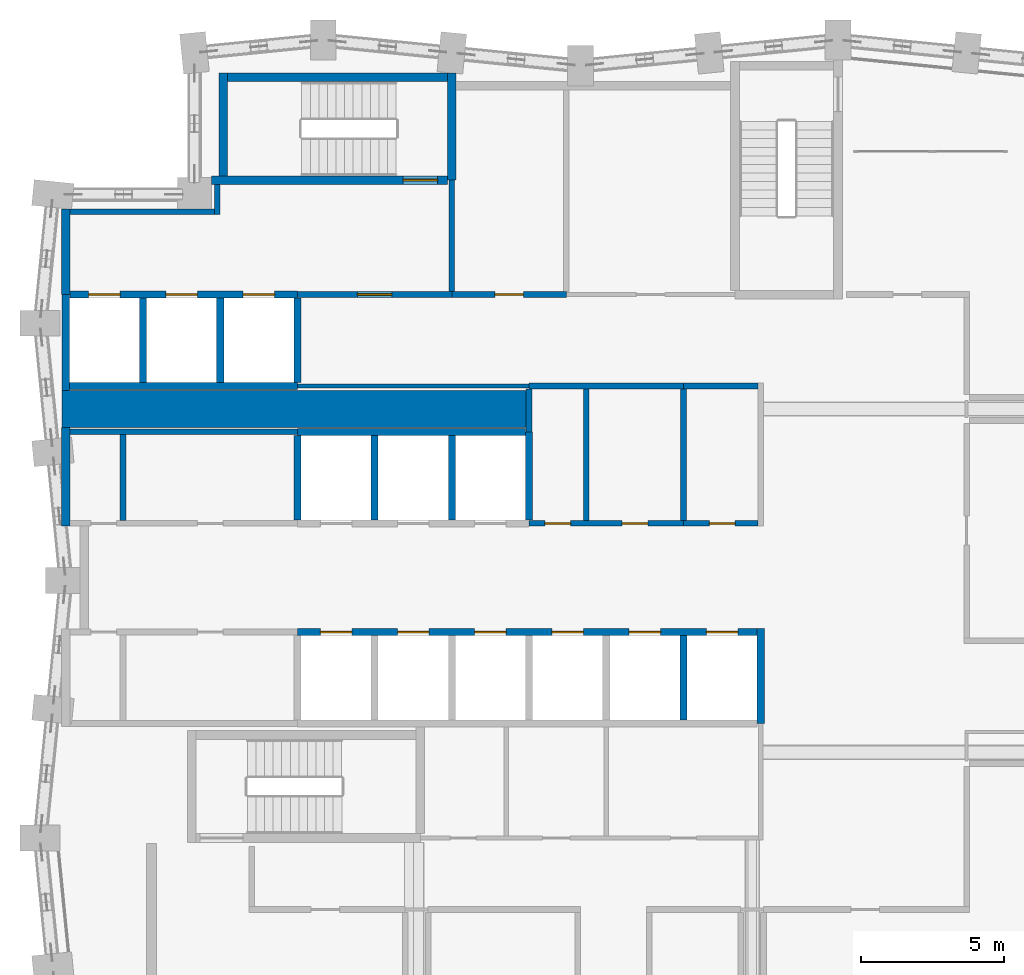
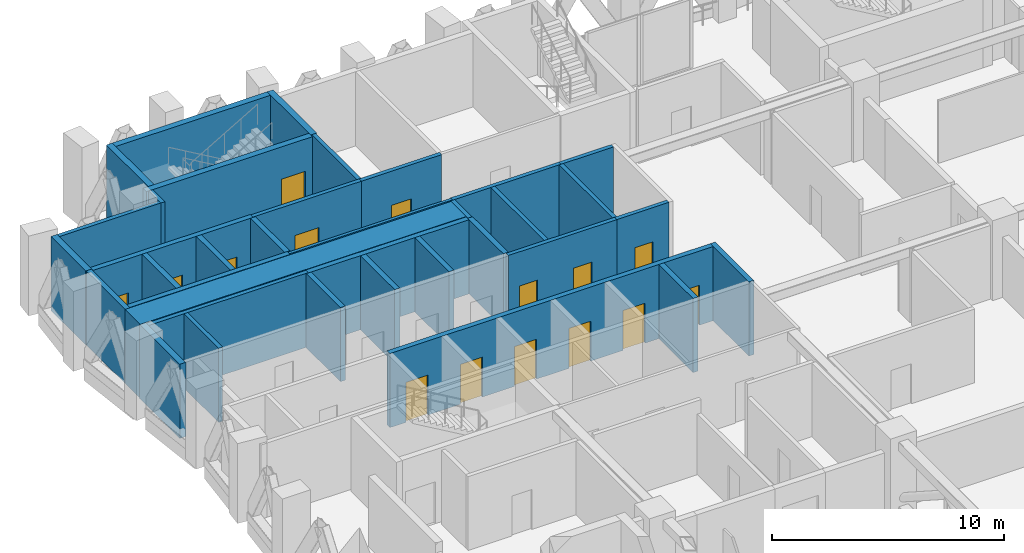
# One storey, part 15 of 25: 36 walls, 15 doors, 15 openings.
"""IFC4 building model written with IfcOpenShell, lengths in metres."""

from ifc_helpers import new_model, si_unit, direction, frame, frame_2d, origin, place, context, subcontext, project, spatial, rectangle, extrude, material, layer, layer_set, type_object, element, fill, save


model = new_model("IFC4")

# Units and contexts
model_context = context("Model", 3, precision=1e-05, world=origin(), true_north=direction((0.0, 1.0)))
body_context = subcontext(model_context, "Body", "Model", "MODEL_VIEW")
ifc_project = project(units=[si_unit("LENGTHUNIT", "METRE"), si_unit("AREAUNIT", "SQUARE_METRE"), si_unit("VOLUMEUNIT", "CUBIC_METRE"), si_unit("PLANEANGLEUNIT", "RADIAN"), si_unit("MASSUNIT", "GRAM", prefix="KILO")], contexts=[model_context])

# Site, building, storey
site_placement = place(None, origin())
site = spatial("IfcSite", under=ifc_project, at=site_placement, CompositionType="ELEMENT")
building_placement = place(site_placement, origin())
building = spatial("IfcBuilding", under=site, at=building_placement, Name="Brondeck Convention Tower", CompositionType="ELEMENT")
storey_placement = place(building_placement, frame((0.0, 0.0, 84.300048828125)))
storey = spatial("IfcBuildingStorey", under=building, at=storey_placement, Name="L19", CompositionType="ELEMENT", Elevation=84.300048828125)

# Walls
ifc_material_1 = material(Name="Concrete C80/95", Category="concrete")
ifc_layer_1 = layer(ifc_material_1, 0.300048828125)
ifc_layer_set_1 = layer_set([ifc_layer_1], Name="Core outer wall 300 Concrete C80/95")
wall_type_1 = type_object("IfcWallType", Name="Core outer wall 300 Concrete C80/95", PredefinedType="SHEAR", material=ifc_layer_set_1)
wall_1_placement = place(storey_placement, frame((0.0, 46.89990234375, 0.0), z_axis=(0.0, 0.0, 1.0), x_axis=(0.0, 1.0, 0.0)))
element("IfcWall", 1, at=wall_1_placement, inside=storey, type_object=wall_type_1, Name="L19 core wall", PredefinedType="SHEAR", context=body_context, shape_type="SweptSolid", body=[
    extrude(rectangle(XDim=3.4501953125, YDim=0.300048828125, at=frame_2d((1.72509765625, 0.0))), origin(), (0.0, 0.0, 1.0), 3.89990234375),
])
wall_2_placement = place(storey_placement, frame((0.0, 55.0, 0.0), z_axis=(0.0, 0.0, 1.0), x_axis=(0.0, 1.0, 0.0)))
element("IfcWall", 2, at=wall_2_placement, inside=storey, type_object=wall_type_1, Name="L19 core wall", PredefinedType="SHEAR", context=body_context, shape_type="SweptSolid", body=[
    extrude(rectangle(XDim=3.0, YDim=0.300048828125, at=frame_2d((1.5, 0.0))), origin(), (0.0, 0.0, 1.0), 3.89990234375),
])
ifc_material_2 = material(Name="Fire-rated gypsum board partition")
ifc_layer_2 = layer(ifc_material_2, 0.14990234375)
ifc_layer_set_2 = layer_set([ifc_layer_2], Name="Core partition 150 EI 60")
wall_type_2 = type_object("IfcWallType", Name="Core partition 150 EI 60", PredefinedType="PARTITIONING", material=ifc_layer_set_2)
wall_3_placement = place(storey_placement, frame((8.10009765625, 51.800048828125, 0.0), z_axis=(0.0, 0.0, 1.0), x_axis=(1.0, 0.0, 0.0)))
element("IfcWall", 3, at=wall_3_placement, inside=storey, type_object=wall_type_2, Name="L19 core wall", PredefinedType="PARTITIONING", context=body_context, shape_type="SweptSolid", body=[
    extrude(rectangle(XDim=8.099853515625, YDim=0.14990234375, at=frame_2d((4.0498046875, 0.0))), origin(), (0.0, 0.0, 1.0), 3.89990234375),
])
ifc_layer_3 = layer(ifc_material_1, 1.300048828125)
ifc_layer_set_3 = layer_set([ifc_layer_3], Name="Core shear wall 1300 Concrete C80/95")
wall_type_3 = type_object("IfcWallType", Name="Core shear wall 1300 Concrete C80/95", PredefinedType="SHEAR", material=ifc_layer_set_3)
wall_4_placement = place(storey_placement, frame((-0.125, 51.0, 0.0), z_axis=(0.0, 0.0, 1.0), x_axis=(1.0, 0.0, 0.0)))
element("IfcWall", 4, at=wall_4_placement, inside=storey, type_object=wall_type_3, Name="L19 core wall", PredefinedType="SHEAR", context=body_context, shape_type="SweptSolid", body=[
    extrude(rectangle(XDim=16.22509765625, YDim=1.300048828125, at=frame_2d((8.112548828125, 0.0))), origin(), (0.0, 0.0, 1.0), 3.89990234375),
])

# Wall, opening, door
ifc_layer_4 = layer(ifc_material_2, 0.199951171875)
ifc_layer_set_4 = layer_set([ifc_layer_4], Name="Firefighting lobby wall 200 EI 120")
wall_type_4 = type_object("IfcWallType", Name="Firefighting lobby wall 200 EI 120", PredefinedType="PARTITIONING", material=ifc_layer_set_4)
wall_5_placement = place(storey_placement, frame((8.10009765625, 55.0, 0.0), z_axis=(0.0, 0.0, 1.0), x_axis=(1.0, 0.0, 0.0)))
wall_5 = element("IfcWall", 5, at=wall_5_placement, inside=storey, type_object=wall_type_4, Name="L19 core wall", PredefinedType="PARTITIONING", context=body_context, shape_type="SweptSolid", body=[
    extrude(rectangle(XDim=5.39990234375, YDim=0.199951171875, at=frame_2d((2.699951171875, 0.0))), origin(), (0.0, 0.0, 1.0), 3.89990234375),
])
opening_1_placement = place(wall_5_placement, frame((2.10009765625, 0.0, 0.0)))
opening_1 = element("IfcOpeningElement", 6, at=opening_1_placement, cuts=wall_5, Name="Opening C13-01", PredefinedType="OPENING", context=body_context, shape_type="SweptSolid", body=[
    extrude(rectangle(XDim=1.199951171875, YDim=2.199951171875, at=frame_2d((0.60009765625, 1.10009765625))), frame((0.0, 0.10986328125, 0.0), z_axis=(0.0, -1.0, 0.0), x_axis=(1.0, 0.0, 0.0)), (0.0, 0.0, 1.0), 0.219970703125),
])
ifc_material_3 = material(Name="Steel fire door", Category="steel")
door_type_1 = type_object("IfcDoorType", Name="Firefighting lobby door 1200x2200 EI 120", OperationType="NOTDEFINED", PredefinedType="DOOR", material=ifc_material_3)
door_1_placement = place(opening_1_placement, origin())
door_1 = element("IfcDoor", 7, at=door_1_placement, inside=storey, type_object=door_type_1, Name="L19 Firefighting lobby door FFL-1", OperationType="SINGLE_SWING_RIGHT", OverallHeight=2.199951171875, OverallWidth=1.199951171875, PredefinedType="DOOR", context=body_context, shape_type="SweptSolid", body=[
    extrude(rectangle(XDim=1.199951171875, YDim=2.199951171875, at=frame_2d((0.60009765625, 1.10009765625))), frame((0.0, 0.02490234375, 0.0), z_axis=(0.0, -1.0, 0.0), x_axis=(1.0, 0.0, 0.0)), (0.0, 0.0, 1.0), 0.050048828125),
])
fill(opening_1, door_1)

# Walls
wall_6_placement = place(storey_placement, frame((0.14990234375, 57.89990234375, 0.0), z_axis=(0.0, 0.0, 1.0), x_axis=(1.0, 0.0, 0.0)))
element("IfcWall", 8, at=wall_6_placement, inside=storey, type_object=wall_type_4, Name="L19 core wall", PredefinedType="PARTITIONING", context=body_context, shape_type="SweptSolid", body=[
    extrude(rectangle(XDim=5.050048828125, YDim=0.199951171875, at=frame_2d((2.52490234375, 0.0))), origin(), (0.0, 0.0, 1.0), 3.89990234375),
])
wall_7_placement = place(storey_placement, frame((5.300048828125, 57.800048828125, 0.0), z_axis=(0.0, 0.0, 1.0), x_axis=(0.0, 1.0, 0.0)))
element("IfcWall", 9, at=wall_7_placement, inside=storey, type_object=wall_type_4, Name="L19 core wall", PredefinedType="PARTITIONING", context=body_context, shape_type="SweptSolid", body=[
    extrude(rectangle(XDim=1.050048828125, YDim=0.199951171875, at=frame_2d((0.52490234375, 0.0))), origin(), (0.0, 0.0, 1.0), 3.89990234375),
])
wall_8_placement = place(storey_placement, frame((13.5, 55.10009765625, 0.0), z_axis=(0.0, 0.0, 1.0), x_axis=(0.0, 1.0, 0.0)))
element("IfcWall", 10, at=wall_8_placement, inside=storey, type_object=wall_type_4, Name="L19 core wall", PredefinedType="PARTITIONING", context=body_context, shape_type="SweptSolid", body=[
    extrude(rectangle(XDim=3.89990234375, YDim=0.199951171875, at=frame_2d((1.949951171875, 0.0))), origin(), (0.0, 0.0, 1.0), 3.89990234375),
])

# Wall, openings, doors
ifc_layer_5 = layer(ifc_material_1, 0.25)
ifc_layer_set_5 = layer_set([ifc_layer_5], Name="Lift shaft wall 250 Concrete C80/95")
wall_type_5 = type_object("IfcWallType", Name="Lift shaft wall 250 Concrete C80/95", PredefinedType="SHEAR", material=ifc_layer_set_5)
wall_9_placement = place(storey_placement, frame((8.10009765625, 43.199951171875, 0.0), z_axis=(0.0, 0.0, 1.0), x_axis=(1.0, 0.0, 0.0)))
wall_9 = element("IfcWall", 11, at=wall_9_placement, inside=storey, type_object=wall_type_5, Name="L19 core wall", PredefinedType="SHEAR", context=body_context, shape_type="SweptSolid", body=[
    extrude(rectangle(XDim=16.074951171875, YDim=0.25, at=frame_2d((8.03759765625, 0.0))), origin(), (0.0, 0.0, 1.0), 3.89990234375),
])
opening_2_placement = place(wall_9_placement, frame((14.300048828125, 0.0, 0.0)))
opening_2 = element("IfcOpeningElement", 12, at=opening_2_placement, cuts=wall_9, Name="Opening C13-24", PredefinedType="OPENING", context=body_context, shape_type="SweptSolid", body=[
    extrude(rectangle(XDim=1.10009765625, YDim=2.10009765625, at=frame_2d((0.550048828125, 1.050048828125))), frame((0.0, 0.135009765625, 0.0), z_axis=(0.0, -1.0, 0.0), x_axis=(1.0, 0.0, 0.0)), (0.0, 0.0, 1.0), 0.27001953125),
])
opening_3_placement = place(wall_9_placement, frame((0.800048828125, 0.0, 0.0)))
opening_3 = element("IfcOpeningElement", 13, at=opening_3_placement, cuts=wall_9, Name="Opening C13-25", PredefinedType="OPENING", context=body_context, shape_type="SweptSolid", body=[
    extrude(rectangle(XDim=1.10009765625, YDim=2.10009765625, at=frame_2d((0.550048828125, 1.050048828125))), frame((0.0, 0.135009765625, 0.0), z_axis=(0.0, -1.0, 0.0), x_axis=(1.0, 0.0, 0.0)), (0.0, 0.0, 1.0), 0.27001953125),
])
opening_4_placement = place(wall_9_placement, frame((3.5, 0.0, 0.0)))
opening_4 = element("IfcOpeningElement", 14, at=opening_4_placement, cuts=wall_9, Name="Opening C13-26", PredefinedType="OPENING", context=body_context, shape_type="SweptSolid", body=[
    extrude(rectangle(XDim=1.10009765625, YDim=2.10009765625, at=frame_2d((0.550048828125, 1.050048828125))), frame((0.0, 0.135009765625, 0.0), z_axis=(0.0, -1.0, 0.0), x_axis=(1.0, 0.0, 0.0)), (0.0, 0.0, 1.0), 0.27001953125),
])
opening_5_placement = place(wall_9_placement, frame((6.199951171875, 0.0, 0.0)))
opening_5 = element("IfcOpeningElement", 15, at=opening_5_placement, cuts=wall_9, Name="Opening C13-27", PredefinedType="OPENING", context=body_context, shape_type="SweptSolid", body=[
    extrude(rectangle(XDim=1.10009765625, YDim=2.10009765625, at=frame_2d((0.550048828125, 1.050048828125))), frame((0.0, 0.135009765625, 0.0), z_axis=(0.0, -1.0, 0.0), x_axis=(1.0, 0.0, 0.0)), (0.0, 0.0, 1.0), 0.27001953125),
])
opening_6_placement = place(wall_9_placement, frame((8.89990234375, 0.0, 0.0)))
opening_6 = element("IfcOpeningElement", 16, at=opening_6_placement, cuts=wall_9, Name="Opening C13-31", PredefinedType="OPENING", context=body_context, shape_type="SweptSolid", body=[
    extrude(rectangle(XDim=1.10009765625, YDim=2.10009765625, at=frame_2d((0.550048828125, 1.050048828125))), frame((0.0, 0.135009765625, 0.0), z_axis=(0.0, -1.0, 0.0), x_axis=(1.0, 0.0, 0.0)), (0.0, 0.0, 1.0), 0.27001953125),
])
opening_7_placement = place(wall_9_placement, frame((11.60009765625, 0.0, 0.0)))
opening_7 = element("IfcOpeningElement", 17, at=opening_7_placement, cuts=wall_9, Name="Opening C13-32", PredefinedType="OPENING", context=body_context, shape_type="SweptSolid", body=[
    extrude(rectangle(XDim=1.10009765625, YDim=2.10009765625, at=frame_2d((0.550048828125, 1.050048828125))), frame((0.0, 0.135009765625, 0.0), z_axis=(0.0, -1.0, 0.0), x_axis=(1.0, 0.0, 0.0)), (0.0, 0.0, 1.0), 0.27001953125),
])
ifc_material_4 = material(Name="Stainless steel lift door", Category="steel")
door_type_2 = type_object("IfcDoorType", Name="Lift landing door 1100x2100 EI 180", OperationType="DOUBLE_DOOR_SLIDING", PredefinedType="DOOR", material=ifc_material_4)
door_2_placement = place(opening_2_placement, origin())
door_2 = element("IfcDoor", 18, at=door_2_placement, inside=storey, type_object=door_type_2, Name="L19 Lift landing door HS1", OperationType="DOUBLE_DOOR_SLIDING", OverallHeight=2.10009765625, OverallWidth=1.10009765625, PredefinedType="DOOR", context=body_context, shape_type="SweptSolid", body=[
    extrude(rectangle(XDim=1.10009765625, YDim=2.10009765625, at=frame_2d((0.550048828125, 1.050048828125))), frame((0.0, 0.02490234375, 0.0), z_axis=(0.0, -1.0, 0.0), x_axis=(1.0, 0.0, 0.0)), (0.0, 0.0, 1.0), 0.050048828125),
])
fill(opening_2, door_2)
door_3_placement = place(opening_3_placement, origin())
door_3 = element("IfcDoor", 19, at=door_3_placement, inside=storey, type_object=door_type_2, Name="L19 Lift landing door LR1", OperationType="DOUBLE_DOOR_SLIDING", OverallHeight=2.10009765625, OverallWidth=1.10009765625, PredefinedType="DOOR", context=body_context, shape_type="SweptSolid", body=[
    extrude(rectangle(XDim=1.10009765625, YDim=2.10009765625, at=frame_2d((0.550048828125, 1.050048828125))), frame((0.0, 0.02490234375, 0.0), z_axis=(0.0, -1.0, 0.0), x_axis=(1.0, 0.0, 0.0)), (0.0, 0.0, 1.0), 0.050048828125),
])
fill(opening_3, door_3)
door_4_placement = place(opening_4_placement, origin())
door_4 = element("IfcDoor", 20, at=door_4_placement, inside=storey, type_object=door_type_2, Name="L19 Lift landing door LR2", OperationType="DOUBLE_DOOR_SLIDING", OverallHeight=2.10009765625, OverallWidth=1.10009765625, PredefinedType="DOOR", context=body_context, shape_type="SweptSolid", body=[
    extrude(rectangle(XDim=1.10009765625, YDim=2.10009765625, at=frame_2d((0.550048828125, 1.050048828125))), frame((0.0, 0.02490234375, 0.0), z_axis=(0.0, -1.0, 0.0), x_axis=(1.0, 0.0, 0.0)), (0.0, 0.0, 1.0), 0.050048828125),
])
fill(opening_4, door_4)
door_5_placement = place(opening_5_placement, origin())
door_5 = element("IfcDoor", 21, at=door_5_placement, inside=storey, type_object=door_type_2, Name="L19 Lift landing door LR3", OperationType="DOUBLE_DOOR_SLIDING", OverallHeight=2.10009765625, OverallWidth=1.10009765625, PredefinedType="DOOR", context=body_context, shape_type="SweptSolid", body=[
    extrude(rectangle(XDim=1.10009765625, YDim=2.10009765625, at=frame_2d((0.550048828125, 1.050048828125))), frame((0.0, 0.02490234375, 0.0), z_axis=(0.0, -1.0, 0.0), x_axis=(1.0, 0.0, 0.0)), (0.0, 0.0, 1.0), 0.050048828125),
])
fill(opening_5, door_5)
door_6_placement = place(opening_6_placement, origin())
door_6 = element("IfcDoor", 22, at=door_6_placement, inside=storey, type_object=door_type_2, Name="L19 Lift landing door SH1", OperationType="DOUBLE_DOOR_SLIDING", OverallHeight=2.10009765625, OverallWidth=1.10009765625, PredefinedType="DOOR", context=body_context, shape_type="SweptSolid", body=[
    extrude(rectangle(XDim=1.10009765625, YDim=2.10009765625, at=frame_2d((0.550048828125, 1.050048828125))), frame((0.0, 0.02490234375, 0.0), z_axis=(0.0, -1.0, 0.0), x_axis=(1.0, 0.0, 0.0)), (0.0, 0.0, 1.0), 0.050048828125),
])
fill(opening_6, door_6)
door_7_placement = place(opening_7_placement, origin())
door_7 = element("IfcDoor", 23, at=door_7_placement, inside=storey, type_object=door_type_2, Name="L19 Lift landing door SH2", OperationType="DOUBLE_DOOR_SLIDING", OverallHeight=2.10009765625, OverallWidth=1.10009765625, PredefinedType="DOOR", context=body_context, shape_type="SweptSolid", body=[
    extrude(rectangle(XDim=1.10009765625, YDim=2.10009765625, at=frame_2d((0.550048828125, 1.050048828125))), frame((0.0, 0.02490234375, 0.0), z_axis=(0.0, -1.0, 0.0), x_axis=(1.0, 0.0, 0.0)), (0.0, 0.0, 1.0), 0.050048828125),
])
fill(opening_7, door_7)

# Walls
wall_10_placement = place(storey_placement, frame((8.10009765625, 50.199951171875, 0.0), z_axis=(0.0, 0.0, 1.0), x_axis=(1.0, 0.0, 0.0)))
element("IfcWall", 24, at=wall_10_placement, inside=storey, type_object=wall_type_5, Name="L19 core wall", PredefinedType="SHEAR", context=body_context, shape_type="SweptSolid", body=[
    extrude(rectangle(XDim=7.974853515625, YDim=0.25, at=frame_2d((3.9873046875, 0.0))), origin(), (0.0, 0.0, 1.0), 3.89990234375),
])
wall_11_placement = place(storey_placement, frame((0.125, 51.800048828125, 0.0), z_axis=(0.0, 0.0, 1.0), x_axis=(1.0, 0.0, 0.0)))
element("IfcWall", 25, at=wall_11_placement, inside=storey, type_object=wall_type_5, Name="L19 core wall", PredefinedType="SHEAR", context=body_context, shape_type="SweptSolid", body=[
    extrude(rectangle(XDim=7.97509765625, YDim=0.25, at=frame_2d((3.987548828125, 0.0))), origin(), (0.0, 0.0, 1.0), 3.89990234375),
])

# Wall, openings, doors
wall_12_placement = place(storey_placement, frame((0.14990234375, 55.0, 0.0), z_axis=(0.0, 0.0, 1.0), x_axis=(1.0, 0.0, 0.0)))
wall_12 = element("IfcWall", 26, at=wall_12_placement, inside=storey, type_object=wall_type_5, Name="L19 core wall", PredefinedType="SHEAR", context=body_context, shape_type="SweptSolid", body=[
    extrude(rectangle(XDim=7.9501953125, YDim=0.25, at=frame_2d((3.97509765625, 0.0))), origin(), (0.0, 0.0, 1.0), 3.89990234375),
])
opening_8_placement = place(wall_12_placement, frame((0.64990234375, 0.0, 0.0)))
opening_8 = element("IfcOpeningElement", 27, at=opening_8_placement, cuts=wall_12, Name="Opening C13-21", PredefinedType="OPENING", context=body_context, shape_type="SweptSolid", body=[
    extrude(rectangle(XDim=1.10009765625, YDim=2.10009765625, at=frame_2d((0.550048828125, 1.050048828125))), frame((0.0, 0.135009765625, 0.0), z_axis=(0.0, -1.0, 0.0), x_axis=(1.0, 0.0, 0.0)), (0.0, 0.0, 1.0), 0.27001953125),
])
opening_9_placement = place(wall_12_placement, frame((3.35009765625, 0.0, 0.0)))
opening_9 = element("IfcOpeningElement", 28, at=opening_9_placement, cuts=wall_12, Name="Opening C13-22", PredefinedType="OPENING", context=body_context, shape_type="SweptSolid", body=[
    extrude(rectangle(XDim=1.10009765625, YDim=2.10009765625, at=frame_2d((0.550048828125, 1.050048828125))), frame((0.0, 0.135009765625, 0.0), z_axis=(0.0, -1.0, 0.0), x_axis=(1.0, 0.0, 0.0)), (0.0, 0.0, 1.0), 0.27001953125),
])
opening_10_placement = place(wall_12_placement, frame((6.050048828125, 0.0, 0.0)))
opening_10 = element("IfcOpeningElement", 29, at=opening_10_placement, cuts=wall_12, Name="Opening C13-23", PredefinedType="OPENING", context=body_context, shape_type="SweptSolid", body=[
    extrude(rectangle(XDim=1.10009765625, YDim=2.10009765625, at=frame_2d((0.550048828125, 1.050048828125))), frame((0.0, 0.135009765625, 0.0), z_axis=(0.0, -1.0, 0.0), x_axis=(1.0, 0.0, 0.0)), (0.0, 0.0, 1.0), 0.27001953125),
])
door_8_placement = place(opening_8_placement, origin())
door_8 = element("IfcDoor", 30, at=door_8_placement, inside=storey, type_object=door_type_2, Name="L19 Lift landing door FF1", OperationType="DOUBLE_DOOR_SLIDING", OverallHeight=2.10009765625, OverallWidth=1.10009765625, PredefinedType="DOOR", context=body_context, shape_type="SweptSolid", body=[
    extrude(rectangle(XDim=1.10009765625, YDim=2.10009765625, at=frame_2d((0.550048828125, 1.050048828125))), frame((0.0, 0.02490234375, 0.0), z_axis=(0.0, -1.0, 0.0), x_axis=(1.0, 0.0, 0.0)), (0.0, 0.0, 1.0), 0.050048828125),
])
fill(opening_8, door_8)
door_9_placement = place(opening_9_placement, origin())
door_9 = element("IfcDoor", 31, at=door_9_placement, inside=storey, type_object=door_type_2, Name="L19 Lift landing door FF2", OperationType="DOUBLE_DOOR_SLIDING", OverallHeight=2.10009765625, OverallWidth=1.10009765625, PredefinedType="DOOR", context=body_context, shape_type="SweptSolid", body=[
    extrude(rectangle(XDim=1.10009765625, YDim=2.10009765625, at=frame_2d((0.550048828125, 1.050048828125))), frame((0.0, 0.02490234375, 0.0), z_axis=(0.0, -1.0, 0.0), x_axis=(1.0, 0.0, 0.0)), (0.0, 0.0, 1.0), 0.050048828125),
])
fill(opening_9, door_9)
door_10_placement = place(opening_10_placement, origin())
door_10 = element("IfcDoor", 32, at=door_10_placement, inside=storey, type_object=door_type_2, Name="L19 Lift landing door FF3", OperationType="DOUBLE_DOOR_SLIDING", OverallHeight=2.10009765625, OverallWidth=1.10009765625, PredefinedType="DOOR", context=body_context, shape_type="SweptSolid", body=[
    extrude(rectangle(XDim=1.10009765625, YDim=2.10009765625, at=frame_2d((0.550048828125, 1.050048828125))), frame((0.0, 0.02490234375, 0.0), z_axis=(0.0, -1.0, 0.0), x_axis=(1.0, 0.0, 0.0)), (0.0, 0.0, 1.0), 0.050048828125),
])
fill(opening_10, door_10)

# Walls
wall_13_placement = place(storey_placement, frame((0.0, 51.64990234375, 0.0), z_axis=(0.0, 0.0, 1.0), x_axis=(0.0, 1.0, 0.0)))
element("IfcWall", 33, at=wall_13_placement, inside=storey, type_object=wall_type_5, Name="L19 core wall", PredefinedType="SHEAR", context=body_context, shape_type="SweptSolid", body=[
    extrude(rectangle(XDim=3.35009765625, YDim=0.25, at=frame_2d((1.675048828125, 0.0))), origin(), (0.0, 0.0, 1.0), 3.89990234375),
])
for number, where, z_axis, x_axis, name in (
    (34, (2.699951171875, 51.925048828125, 0.0), (0.0, 0.0, 1.0), (0.0, 1.0, 0.0), "L19 core wall"),
    (35, (5.39990234375, 51.925048828125, 0.0), (0.0, 0.0, 1.0), (0.0, 1.0, 0.0), "L19 core wall"),
    (36, (8.10009765625, 47.125, 0.0), (0.0, 0.0, 1.0), (0.0, 1.0, 0.0), "L19 core wall"),
    (37, (8.10009765625, 51.925048828125, 0.0), (0.0, 0.0, 1.0), (0.0, 1.0, 0.0), "L19 core wall"),
    (38, (10.800048828125, 47.125, 0.0), (0.0, 0.0, 1.0), (0.0, 1.0, 0.0), "L19 core wall"),
    (39, (13.5, 47.125, 0.0), (0.0, 0.0, 1.0), (0.0, 1.0, 0.0), "L19 core wall"),
):
    element("IfcWall", number, at=place(storey_placement, frame(where, z_axis=z_axis, x_axis=x_axis)), inside=storey, type_object=wall_type_5, Name=name, PredefinedType="SHEAR", context=body_context, shape_type="SweptSolid", body=[
        extrude(rectangle(XDim=2.949951171875, YDim=0.25, at=frame_2d((1.47509765625, 0.0))), origin(), (0.0, 0.0, 1.0), 3.89990234375),
    ])
wall_14_placement = place(storey_placement, frame((16.199951171875, 47.125, 0.0), z_axis=(0.0, 0.0, 1.0), x_axis=(0.0, 1.0, 0.0)))
element("IfcWall", 40, at=wall_14_placement, inside=storey, type_object=wall_type_5, Name="L19 core wall", PredefinedType="SHEAR", context=body_context, shape_type="SweptSolid", body=[
    extrude(rectangle(XDim=3.074951171875, YDim=0.25, at=frame_2d((1.53759765625, 0.0))), origin(), (0.0, 0.0, 1.0), 3.89990234375),
])
wall_15_placement = place(storey_placement, frame((21.60009765625, 40.125, 0.0), z_axis=(0.0, 0.0, 1.0), x_axis=(0.0, 1.0, 0.0)))
element("IfcWall", 41, at=wall_15_placement, inside=storey, type_object=wall_type_5, Name="L19 core wall", PredefinedType="SHEAR", context=body_context, shape_type="SweptSolid", body=[
    extrude(rectangle(XDim=2.949951171875, YDim=0.25, at=frame_2d((1.47509765625, 0.0))), origin(), (0.0, 0.0, 1.0), 3.89990234375),
])
wall_16_placement = place(storey_placement, frame((24.300048828125, 40.0, 0.0), z_axis=(0.0, 0.0, 1.0), x_axis=(0.0, 1.0, 0.0)))
element("IfcWall", 42, at=wall_16_placement, inside=storey, type_object=wall_type_5, Name="L19 core wall", PredefinedType="SHEAR", context=body_context, shape_type="SweptSolid", body=[
    extrude(rectangle(XDim=3.324951171875, YDim=0.25, at=frame_2d((1.66259765625, 0.0))), origin(), (0.0, 0.0, 1.0), 3.89990234375),
])

# Wall, openings, doors
ifc_layer_6 = layer(ifc_material_2, 0.199951171875)
ifc_layer_set_6 = layer_set([ifc_layer_6], Name="Plant room wall 200 EI 120")
wall_type_6 = type_object("IfcWallType", Name="Plant room wall 200 EI 120", PredefinedType="PARTITIONING", material=ifc_layer_set_6)
wall_17_placement = place(storey_placement, frame((16.199951171875, 47.0, 0.0), z_axis=(0.0, 0.0, 1.0), x_axis=(1.0, 0.0, 0.0)))
wall_17 = element("IfcWall", 43, at=wall_17_placement, inside=storey, type_object=wall_type_6, Name="L19 core wall", PredefinedType="PARTITIONING", context=body_context, shape_type="SweptSolid", body=[
    extrude(rectangle(XDim=5.400146484375, YDim=0.199951171875, at=frame_2d((2.7001953125, 0.0))), origin(), (0.0, 0.0, 1.0), 3.89990234375),
])
opening_11_placement = place(wall_17_placement, frame((0.550048828125, 0.0, 0.0)))
opening_11 = element("IfcOpeningElement", 44, at=opening_11_placement, cuts=wall_17, Name="Opening C13-08", PredefinedType="OPENING", context=body_context, shape_type="SweptSolid", body=[
    extrude(rectangle(XDim=0.89990234375, YDim=2.10009765625, at=frame_2d((0.449951171875, 1.050048828125))), frame((0.0, 0.10986328125, 0.0), z_axis=(0.0, -1.0, 0.0), x_axis=(1.0, 0.0, 0.0)), (0.0, 0.0, 1.0), 0.219970703125),
])
opening_12_placement = place(wall_17_placement, frame((3.25, 0.0, 0.0)))
opening_12 = element("IfcOpeningElement", 45, at=opening_12_placement, cuts=wall_17, Name="Opening C13-09", PredefinedType="OPENING", context=body_context, shape_type="SweptSolid", body=[
    extrude(rectangle(XDim=0.89990234375, YDim=2.10009765625, at=frame_2d((0.449951171875, 1.050048828125))), frame((0.0, 0.10986328125, 0.0), z_axis=(0.0, -1.0, 0.0), x_axis=(1.0, 0.0, 0.0)), (0.0, 0.0, 1.0), 0.219970703125),
])
door_type_3 = type_object("IfcDoorType", Name="Room door 900x2100 EI 120", OperationType="NOTDEFINED", PredefinedType="DOOR", material=ifc_material_3)
door_11_placement = place(opening_11_placement, origin())
door_11 = element("IfcDoor", 46, at=door_11_placement, inside=storey, type_object=door_type_3, Name="L19 Room door FZ-N-16.2-1", OperationType="SINGLE_SWING_LEFT", OverallHeight=2.10009765625, OverallWidth=0.89990234375, PredefinedType="DOOR", context=body_context, shape_type="SweptSolid", body=[
    extrude(rectangle(XDim=0.89990234375, YDim=2.10009765625, at=frame_2d((0.449951171875, 1.050048828125))), frame((0.0, 0.02490234375, 0.0), z_axis=(0.0, -1.0, 0.0), x_axis=(1.0, 0.0, 0.0)), (0.0, 0.0, 1.0), 0.050048828125),
])
fill(opening_11, door_11)
door_12_placement = place(opening_12_placement, origin())
door_12 = element("IfcDoor", 47, at=door_12_placement, inside=storey, type_object=door_type_3, Name="L19 Room door FZ-N-16.2-2", OperationType="SINGLE_SWING_RIGHT", OverallHeight=2.10009765625, OverallWidth=0.89990234375, PredefinedType="DOOR", context=body_context, shape_type="SweptSolid", body=[
    extrude(rectangle(XDim=0.89990234375, YDim=2.10009765625, at=frame_2d((0.449951171875, 1.050048828125))), frame((0.0, 0.02490234375, 0.0), z_axis=(0.0, -1.0, 0.0), x_axis=(1.0, 0.0, 0.0)), (0.0, 0.0, 1.0), 0.050048828125),
])
fill(opening_12, door_12)

# Walls
wall_18_placement = place(storey_placement, frame((0.14990234375, 50.199951171875, 0.0), z_axis=(0.0, 0.0, 1.0), x_axis=(1.0, 0.0, 0.0)))
element("IfcWall", 48, at=wall_18_placement, inside=storey, type_object=wall_type_6, Name="L19 core wall", PredefinedType="PARTITIONING", context=body_context, shape_type="SweptSolid", body=[
    extrude(rectangle(XDim=7.9501953125, YDim=0.199951171875, at=frame_2d((3.97509765625, 0.0))), origin(), (0.0, 0.0, 1.0), 3.89990234375),
])
wall_19_placement = place(storey_placement, frame((16.199951171875, 51.800048828125, 0.0), z_axis=(0.0, 0.0, 1.0), x_axis=(1.0, 0.0, 0.0)))
element("IfcWall", 49, at=wall_19_placement, inside=storey, type_object=wall_type_6, Name="L19 core wall", PredefinedType="PARTITIONING", context=body_context, shape_type="SweptSolid", body=[
    extrude(rectangle(XDim=5.400146484375, YDim=0.199951171875, at=frame_2d((2.7001953125, 0.0))), origin(), (0.0, 0.0, 1.0), 3.89990234375),
])
wall_20_placement = place(storey_placement, frame((2.0, 47.10009765625, 0.0), z_axis=(0.0, 0.0, 1.0), x_axis=(0.0, 1.0, 0.0)))
element("IfcWall", 50, at=wall_20_placement, inside=storey, type_object=wall_type_6, Name="L19 core wall", PredefinedType="PARTITIONING", context=body_context, shape_type="SweptSolid", body=[
    extrude(rectangle(XDim=3.0, YDim=0.199951171875, at=frame_2d((1.5, 0.0))), origin(), (0.0, 0.0, 1.0), 3.89990234375),
])
wall_21_placement = place(storey_placement, frame((16.199951171875, 50.199951171875, 0.0), z_axis=(0.0, 0.0, 1.0), x_axis=(0.0, 1.0, 0.0)))
element("IfcWall", 51, at=wall_21_placement, inside=storey, type_object=wall_type_6, Name="L19 core wall", PredefinedType="PARTITIONING", context=body_context, shape_type="SweptSolid", body=[
    extrude(rectangle(XDim=1.5, YDim=0.199951171875, at=frame_2d((0.75, 0.0))), origin(), (0.0, 0.0, 1.0), 3.89990234375),
])
for number, where, z_axis, x_axis, name in (
    (52, (18.199951171875, 47.10009765625, 0.0), (0.0, 0.0, 1.0), (0.0, 1.0, 0.0), "L19 core wall"),
    (53, (21.60009765625, 47.10009765625, 0.0), (0.0, 0.0, 1.0), (0.0, 1.0, 0.0), "L19 core wall"),
):
    element("IfcWall", number, at=place(storey_placement, frame(where, z_axis=z_axis, x_axis=x_axis)), inside=storey, type_object=wall_type_6, Name=name, PredefinedType="PARTITIONING", context=body_context, shape_type="SweptSolid", body=[
        extrude(rectangle(XDim=4.599853515625, YDim=0.199951171875, at=frame_2d((2.2998046875, 0.0))), origin(), (0.0, 0.0, 1.0), 3.89990234375),
    ])

# Wall, opening, door
ifc_layer_7 = layer(ifc_material_2, 0.199951171875)
ifc_layer_set_7 = layer_set([ifc_layer_7], Name="Riser wall 200 EI 120")
wall_type_7 = type_object("IfcWallType", Name="Riser wall 200 EI 120", PredefinedType="PARTITIONING", material=ifc_layer_set_7)
wall_22_placement = place(storey_placement, frame((21.60009765625, 47.0, 0.0), z_axis=(0.0, 0.0, 1.0), x_axis=(1.0, 0.0, 0.0)))
wall_22 = element("IfcWall", 54, at=wall_22_placement, inside=storey, type_object=wall_type_7, Name="L19 core wall", PredefinedType="PARTITIONING", context=body_context, shape_type="SweptSolid", body=[
    extrude(rectangle(XDim=2.599853515625, YDim=0.199951171875, at=frame_2d((1.2998046875, 0.0))), origin(), (0.0, 0.0, 1.0), 3.89990234375),
])
opening_13_placement = place(wall_22_placement, frame((0.89990234375, 0.0, 0.0)))
opening_13 = element("IfcOpeningElement", 55, at=opening_13_placement, cuts=wall_22, Name="Opening C13-02", PredefinedType="OPENING", context=body_context, shape_type="SweptSolid", body=[
    extrude(rectangle(XDim=0.89990234375, YDim=2.10009765625, at=frame_2d((0.449951171875, 1.050048828125))), frame((0.0, 0.10986328125, 0.0), z_axis=(0.0, -1.0, 0.0), x_axis=(1.0, 0.0, 0.0)), (0.0, 0.0, 1.0), 0.219970703125),
])
door_type_4 = type_object("IfcDoorType", Name="Riser door 900x2100 EI 120", OperationType="NOTDEFINED", PredefinedType="DOOR", material=ifc_material_3)
door_13_placement = place(opening_13_placement, origin())
door_13 = element("IfcDoor", 56, at=door_13_placement, inside=storey, type_object=door_type_4, Name="L19 Riser door EN-1", OperationType="SINGLE_SWING_LEFT", OverallHeight=2.10009765625, OverallWidth=0.89990234375, PredefinedType="DOOR", context=body_context, shape_type="SweptSolid", body=[
    extrude(rectangle(XDim=0.89990234375, YDim=2.10009765625, at=frame_2d((0.449951171875, 1.050048828125))), frame((0.0, 0.02490234375, 0.0), z_axis=(0.0, -1.0, 0.0), x_axis=(1.0, 0.0, 0.0)), (0.0, 0.0, 1.0), 0.050048828125),
])
fill(opening_13, door_13)

# Wall
wall_23_placement = place(storey_placement, frame((21.60009765625, 51.800048828125, 0.0), z_axis=(0.0, 0.0, 1.0), x_axis=(1.0, 0.0, 0.0)))
element("IfcWall", 57, at=wall_23_placement, inside=storey, type_object=wall_type_7, Name="L19 core wall", PredefinedType="PARTITIONING", context=body_context, shape_type="SweptSolid", body=[
    extrude(rectangle(XDim=2.599853515625, YDim=0.199951171875, at=frame_2d((1.2998046875, 0.0))), origin(), (0.0, 0.0, 1.0), 3.89990234375),
])

# Wall, opening, door
wall_24_placement = place(storey_placement, frame((13.5, 55.0, 0.0), z_axis=(0.0, 0.0, 1.0), x_axis=(1.0, 0.0, 0.0)))
wall_24 = element("IfcWall", 58, at=wall_24_placement, inside=storey, type_object=wall_type_7, Name="L19 core wall", PredefinedType="PARTITIONING", context=body_context, shape_type="SweptSolid", body=[
    extrude(rectangle(XDim=4.0, YDim=0.199951171875, at=frame_2d((2.0, 0.0))), origin(), (0.0, 0.0, 1.0), 3.89990234375),
])
opening_14_placement = place(wall_24_placement, frame((1.5, 0.0, 0.0)))
opening_14 = element("IfcOpeningElement", 59, at=opening_14_placement, cuts=wall_24, Name="Opening C13-12", PredefinedType="OPENING", context=body_context, shape_type="SweptSolid", body=[
    extrude(rectangle(XDim=1.0, YDim=2.10009765625, at=frame_2d((0.5, 1.050048828125))), frame((0.0, 0.10986328125, 0.0), z_axis=(0.0, -1.0, 0.0), x_axis=(1.0, 0.0, 0.0)), (0.0, 0.0, 1.0), 0.219970703125),
])
door_type_5 = type_object("IfcDoorType", Name="Riser door 1000x2100 EI 120", OperationType="NOTDEFINED", PredefinedType="DOOR", material=ifc_material_3)
door_14_placement = place(opening_14_placement, origin())
door_14 = element("IfcDoor", 60, at=door_14_placement, inside=storey, type_object=door_type_5, Name="L19 Riser door NE-1", OperationType="SINGLE_SWING_LEFT", OverallHeight=2.10009765625, OverallWidth=1.0, PredefinedType="DOOR", context=body_context, shape_type="SweptSolid", body=[
    extrude(rectangle(XDim=1.0, YDim=2.10009765625, at=frame_2d((0.5, 1.050048828125))), frame((0.0, 0.02490234375, 0.0), z_axis=(0.0, -1.0, 0.0), x_axis=(1.0, 0.0, 0.0)), (0.0, 0.0, 1.0), 0.050048828125),
])
fill(opening_14, door_14)

ifc_layer_8 = layer(ifc_material_1, 0.300048828125)
ifc_layer_set_8 = layer_set([ifc_layer_8], Name="Stair enclosure wall 300 Concrete C80/95")
wall_type_8 = type_object("IfcWallType", Name="Stair enclosure wall 300 Concrete C80/95", PredefinedType="SHEAR", material=ifc_layer_set_8)
wall_25_placement = place(storey_placement, frame((5.10009765625, 59.0, 0.0), z_axis=(0.0, 0.0, 1.0), x_axis=(1.0, 0.0, 0.0)))
wall_25 = element("IfcWall", 61, at=wall_25_placement, inside=storey, type_object=wall_type_8, Name="L19 core wall", PredefinedType="SHEAR", context=body_context, shape_type="SweptSolid", body=[
    extrude(rectangle(XDim=8.25, YDim=0.300048828125, at=frame_2d((4.125, 0.0))), origin(), (0.0, 0.0, 1.0), 3.89990234375),
])
opening_15_placement = place(wall_25_placement, frame((6.699951171875, 0.0, 0.0)))
opening_15 = element("IfcOpeningElement", 62, at=opening_15_placement, cuts=wall_25, Name="Opening C13-16", PredefinedType="OPENING", context=body_context, shape_type="SweptSolid", body=[
    extrude(rectangle(XDim=1.199951171875, YDim=2.199951171875, at=frame_2d((0.60009765625, 1.10009765625))), frame((0.0, 0.159912109375, 0.0), z_axis=(0.0, -1.0, 0.0), x_axis=(1.0, 0.0, 0.0)), (0.0, 0.0, 1.0), 0.320068359375),
])
door_type_6 = type_object("IfcDoorType", Name="Stair door 1200x2200 EI 120", OperationType="NOTDEFINED", PredefinedType="DOOR", material=ifc_material_3)
door_15_placement = place(opening_15_placement, origin())
door_15 = element("IfcDoor", 63, at=door_15_placement, inside=storey, type_object=door_type_6, Name="L19 Stair door ST-3", OperationType="SINGLE_SWING_RIGHT", OverallHeight=2.199951171875, OverallWidth=1.199951171875, PredefinedType="DOOR", context=body_context, shape_type="SweptSolid", body=[
    extrude(rectangle(XDim=1.199951171875, YDim=2.199951171875, at=frame_2d((0.60009765625, 1.10009765625))), frame((0.0, 0.02490234375, 0.0), z_axis=(0.0, -1.0, 0.0), x_axis=(1.0, 0.0, 0.0)), (0.0, 0.0, 1.0), 0.050048828125),
])
fill(opening_15, door_15)

# Walls
wall_26_placement = place(storey_placement, frame((5.64990234375, 62.60009765625, 0.0), z_axis=(0.0, 0.0, 1.0), x_axis=(1.0, 0.0, 0.0)))
element("IfcWall", 64, at=wall_26_placement, inside=storey, type_object=wall_type_8, Name="L19 core wall", PredefinedType="SHEAR", context=body_context, shape_type="SweptSolid", body=[
    extrude(rectangle(XDim=7.7001953125, YDim=0.300048828125, at=frame_2d((3.85009765625, 0.0))), origin(), (0.0, 0.0, 1.0), 3.89990234375),
])
wall_27_placement = place(storey_placement, frame((5.5, 59.14990234375, 0.0), z_axis=(0.0, 0.0, 1.0), x_axis=(0.0, 1.0, 0.0)))
element("IfcWall", 65, at=wall_27_placement, inside=storey, type_object=wall_type_8, Name="L19 core wall", PredefinedType="SHEAR", context=body_context, shape_type="SweptSolid", body=[
    extrude(rectangle(XDim=3.60009765625, YDim=0.300048828125, at=frame_2d((1.800048828125, 0.0))), origin(), (0.0, 0.0, 1.0), 3.89990234375),
])
wall_28_placement = place(storey_placement, frame((13.5, 59.0, 0.0), z_axis=(0.0, 0.0, 1.0), x_axis=(0.0, 1.0, 0.0)))
element("IfcWall", 66, at=wall_28_placement, inside=storey, type_object=wall_type_8, Name="L19 core wall", PredefinedType="SHEAR", context=body_context, shape_type="SweptSolid", body=[
    extrude(rectangle(XDim=3.75, YDim=0.300048828125, at=frame_2d((1.875, 0.0))), origin(), (0.0, 0.0, 1.0), 3.89990234375),
])

save(model, "model.ifc")
